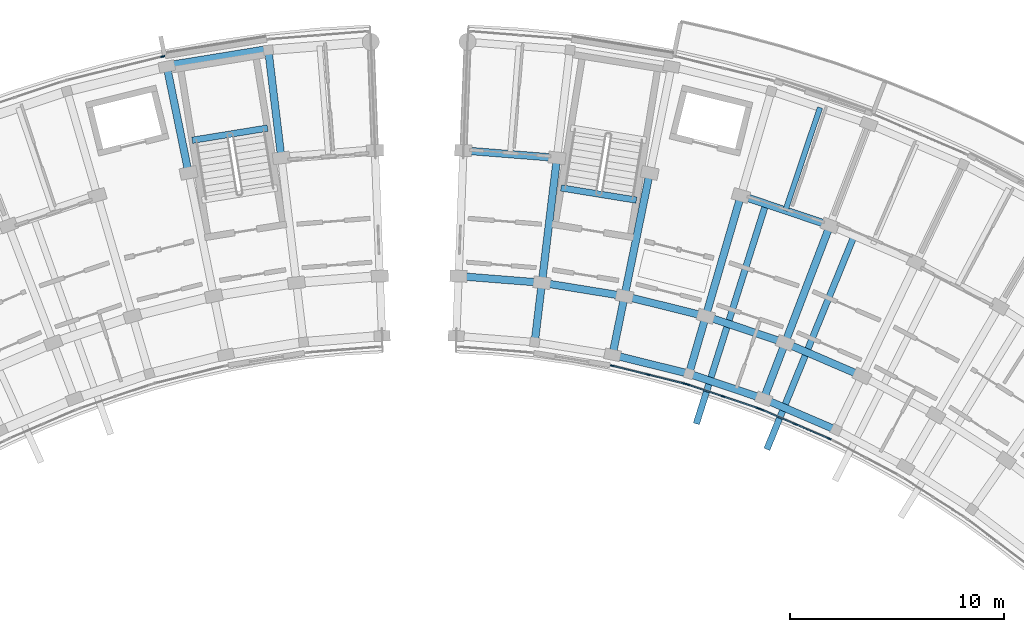
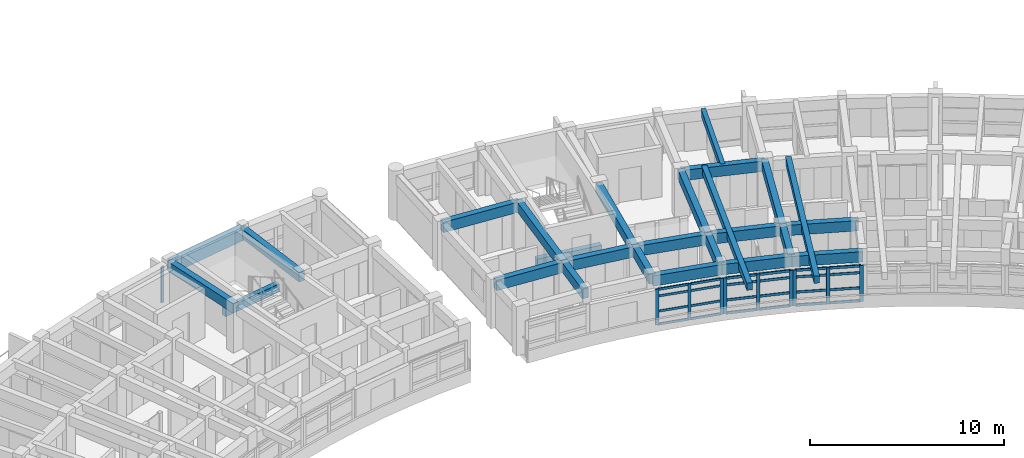
# One storey, part 7 of 54: 34 members, 26 beams, 4 elements without a shape of their own.
"""IFC4 building model written with IfcOpenShell, lengths in metres."""

from ifc_helpers import new_model, si_unit, direction, frame, origin, origin_2d, place, context, subcontext, project, spatial, rectangle, extrude, material, material_profile, profile_set, type_object, element, aggregate, save


model = new_model("IFC4")

# Units and contexts
model_context = context("Model", 3, precision=1e-05, world=origin(), true_north=direction((0.0, 1.0)))
body_context = subcontext(model_context, "Body", "Model", "MODEL_VIEW")
ifc_project = project(units=[si_unit("LENGTHUNIT", "METRE"), si_unit("AREAUNIT", "SQUARE_METRE"), si_unit("VOLUMEUNIT", "CUBIC_METRE"), si_unit("PLANEANGLEUNIT", "RADIAN"), si_unit("MASSUNIT", "GRAM", prefix="KILO")], contexts=[model_context])

# Site, building, storey
site_placement = place(None, origin())
site = spatial("IfcSite", under=ifc_project, at=site_placement, CompositionType="ELEMENT")
building_placement = place(site_placement, origin())
building = spatial("IfcBuilding", under=site, at=building_placement, Name="Zimvara Arc Housing Community", CompositionType="ELEMENT")
storey_placement = place(building_placement, frame((0.0, 0.0, 20.5)))
storey = spatial("IfcBuildingStorey", under=building, at=storey_placement, Name="L06", CompositionType="ELEMENT", Elevation=20.5)

# Beams
ifc_material_1 = material(Name="Concrete C40/50", Category="concrete")
ifc_material_profile_1 = material_profile(ifc_material_1, rectangle(XDim=0.25, YDim=0.449951171875, at=origin_2d()), Name="RC 250x450")
ifc_profile_set_1 = profile_set([ifc_material_profile_1], Name="Concrete C40/50")
beam_type_1 = type_object("IfcBeamType", Name="BM-RC-250x450", PredefinedType="JOIST", material=ifc_profile_set_1)
beam_1_placement = place(storey_placement, frame((62.1279296875, 95.453369140625, 2.635009765625), z_axis=(0.318607669836, 0.947886677152, 0.0), x_axis=(-0.947886677152, 0.318607669836, 0.0)))
element("IfcBeam", 1, at=beam_1_placement, inside=storey, type_object=beam_type_1, Name="bm:blkB:L06:joist:b3", PredefinedType="JOIST", context=body_context, shape_type="SweptSolid", body=[
    extrude(rectangle(XDim=0.25, YDim=0.449951171875, at=origin_2d()), origin(), (0.0, 0.0, 1.0), 5.07568359375),
])
ifc_material_2 = material(Name="Concrete C40/50", Category="concrete")
ifc_material_profile_2 = material_profile(ifc_material_2, rectangle(XDim=0.300048828125, YDim=0.449951171875, at=origin_2d()), Name="RC 300x450")
ifc_profile_set_2 = profile_set([ifc_material_profile_2], Name="Concrete C40/50")
beam_type_2 = type_object("IfcBeamType", Name="BM-RC-300x450", PredefinedType="JOIST", material=ifc_profile_set_2)
beam_2_placement = place(storey_placement, frame((61.22314453125, 95.795654296875, 2.6650390625), z_axis=(-0.301541693036, -0.953452991689, 0.0), x_axis=(0.953452991689, -0.301541693036, 0.0)))
element("IfcBeam", 2, at=beam_2_placement, inside=storey, type_object=beam_type_2, Name="bm:blkB:L06:cant_in:b3", PredefinedType="JOIST", context=body_context, shape_type="SweptSolid", body=[
    extrude(rectangle(XDim=0.300048828125, YDim=0.449951171875, at=origin_2d()), origin(), (0.0, 0.0, 1.0), 10.820068359375),
])
beam_3_placement = place(storey_placement, frame((65.354248046875, 94.301025390625, 2.6650390625), z_axis=(-0.378332343777, -0.92566983188, 0.0), x_axis=(0.92566983188, -0.378332343777, 0.0)))
element("IfcBeam", 3, at=beam_3_placement, inside=storey, type_object=beam_type_2, Name="bm:blkB:L06:cant_in:b4", PredefinedType="JOIST", context=body_context, shape_type="SweptSolid", body=[
    extrude(rectangle(XDim=0.300048828125, YDim=0.449951171875, at=origin_2d()), origin(), (0.0, 0.0, 1.0), 10.81982421875),
])
ifc_material_3 = material(Name="Concrete C40/50", Category="concrete")
ifc_material_profile_3 = material_profile(ifc_material_3, rectangle(XDim=0.300048828125, YDim=0.5, at=origin_2d()), Name="RC 300x500")
ifc_profile_set_3 = profile_set([ifc_material_profile_3], Name="Concrete C40/50")
beam_type_3 = type_object("IfcBeamType", Name="BM-RC-300x500", PredefinedType="BEAM", material=ifc_profile_set_3)
for number, where, z_axis, x_axis, name in (
    (4, (37.911865234375, 99.307373046875, 1.300048828125), (-0.987080057935, -0.160227835371, 0.0), (0.160227835371, -0.987080057935, 0.0), "bm:stair_trim:ST-A2:L06:mid"),
    (5, (55.15771484375, 95.93701171875, -0.25), (-0.987080057935, 0.160227835371, 0.0), (-0.160227835371, -0.987080057935, 0.0), "bm:stair_trim:ST-B1:L06:near"),
):
    element("IfcBeam", number, at=place(storey_placement, frame(where, z_axis=z_axis, x_axis=x_axis)), inside=storey, type_object=beam_type_3, Name=name, PredefinedType="BEAM", context=body_context, shape_type="SweptSolid", body=[
        extrude(rectangle(XDim=0.300048828125, YDim=0.5, at=origin_2d()), origin(), (0.0, 0.0, 1.0), 3.570068359375),
    ])
ifc_material_4 = material(Name="Concrete C40/50", Category="concrete")
ifc_material_profile_4 = material_profile(ifc_material_4, rectangle(XDim=0.35009765625, YDim=0.60009765625, at=origin_2d()), Name="RC 350x600")
ifc_profile_set_4 = profile_set([ifc_material_profile_4], Name="Concrete C40/50")
beam_type_4 = type_object("IfcBeamType", Name="BM-RC-350x600", PredefinedType="BEAM", material=ifc_profile_set_4)
beam_4_placement = place(storey_placement, frame((34.21875, 97.208740234375, 2.56005859375), z_axis=(-0.200411962389, 0.97971171542, 0.0), x_axis=(-0.97971171542, -0.200411962389, 0.0)))
element("IfcBeam", 6, at=beam_4_placement, inside=storey, type_object=beam_type_4, Name="bm:blkA:L06:rad:b8:r23", PredefinedType="BEAM", context=body_context, shape_type="SweptSolid", body=[
    extrude(rectangle(XDim=0.35009765625, YDim=0.60009765625, at=origin_2d()), origin(), (0.0, 0.0, 1.0), 5.079833984375),
])
beam_5_placement = place(storey_placement, frame((38.55517578125, 97.91259765625, 2.56005859375), z_axis=(-0.119762990499, 0.99280251113, 0.0), x_axis=(-0.99280251113, -0.119762990499, 0.0)))
element("IfcBeam", 7, at=beam_5_placement, inside=storey, type_object=beam_type_4, Name="bm:blkA:L06:rad:b9:r23", PredefinedType="BEAM", context=body_context, shape_type="SweptSolid", body=[
    extrude(rectangle(XDim=0.35009765625, YDim=0.60009765625, at=origin_2d()), origin(), (0.0, 0.0, 1.0), 5.080078125),
])
beam_6_placement = place(storey_placement, frame((50.405029296875, 89.295166015625, 2.56005859375), z_axis=(0.119719398078, 0.992807768767, 0.0), x_axis=(-0.992807768767, 0.119719398078, 0.0)))
element("IfcBeam", 8, at=beam_6_placement, inside=storey, type_object=beam_type_4, Name="bm:blkB:L06:rad:b1:r01", PredefinedType="BEAM", context=body_context, shape_type="SweptSolid", body=[
    extrude(rectangle(XDim=0.35009765625, YDim=0.60009765625, at=origin_2d()), origin(), (0.0, 0.0, 1.0), 2.7998046875),
])
beam_7_placement = place(storey_placement, frame((50.740234375, 92.074951171875, 2.56005859375), z_axis=(0.119827921695, 0.992794676246, 0.0), x_axis=(-0.992794676246, 0.119827921695, 0.0)))
element("IfcBeam", 9, at=beam_7_placement, inside=storey, type_object=beam_type_4, Name="bm:blkB:L06:rad:b1:r12", PredefinedType="BEAM", context=body_context, shape_type="SweptSolid", body=[
    extrude(rectangle(XDim=0.35009765625, YDim=0.60009765625, at=origin_2d()), origin(), (0.0, 0.0, 1.0), 5.880126953125),
])
beam_8_placement = place(storey_placement, frame((54.041748046875, 88.704833984375, 2.56005859375), z_axis=(0.20037341071, 0.979719600845, 0.0), x_axis=(-0.979719600845, 0.20037341071, 0.0)))
element("IfcBeam", 10, at=beam_8_placement, inside=storey, type_object=beam_type_4, Name="bm:blkB:L06:rad:b2:r01", PredefinedType="BEAM", context=body_context, shape_type="SweptSolid", body=[
    extrude(rectangle(XDim=0.35009765625, YDim=0.60009765625, at=origin_2d()), origin(), (0.0, 0.0, 1.0), 2.800048828125),
])
beam_9_placement = place(storey_placement, frame((54.602783203125, 91.447998046875, 2.56005859375), z_axis=(0.200417973989, 0.979710485655, 0.0), x_axis=(-0.979710485655, 0.200417973989, 0.0)))
element("IfcBeam", 11, at=beam_9_placement, inside=storey, type_object=beam_type_4, Name="bm:blkB:L06:rad:b2:r12", PredefinedType="BEAM", context=body_context, shape_type="SweptSolid", body=[
    extrude(rectangle(XDim=0.35009765625, YDim=0.60009765625, at=origin_2d()), origin(), (0.0, 0.0, 1.0), 5.880126953125),
])
beam_10_placement = place(storey_placement, frame((57.618408203125, 87.819580078125, 2.56005859375), z_axis=(0.279635015525, 0.960106378529, 0.0), x_axis=(-0.960106378529, 0.279635015525, 0.0)))
element("IfcBeam", 12, at=beam_10_placement, inside=storey, type_object=beam_type_4, Name="bm:blkB:L06:rad:b3:r01", PredefinedType="BEAM", context=body_context, shape_type="SweptSolid", body=[
    extrude(rectangle(XDim=0.35009765625, YDim=0.60009765625, at=origin_2d()), origin(), (0.0, 0.0, 1.0), 2.800048828125),
])
beam_11_placement = place(storey_placement, frame((58.4013671875, 90.5078125, 2.56005859375), z_axis=(0.27967473749, 0.960094808449, 0.0), x_axis=(-0.960094808449, 0.27967473749, 0.0)))
element("IfcBeam", 13, at=beam_11_placement, inside=storey, type_object=beam_type_4, Name="bm:blkB:L06:rad:b3:r12", PredefinedType="BEAM", context=body_context, shape_type="SweptSolid", body=[
    extrude(rectangle(XDim=0.35009765625, YDim=0.60009765625, at=origin_2d()), origin(), (0.0, 0.0, 1.0), 5.880126953125),
])
beam_12_placement = place(storey_placement, frame((61.11083984375, 86.645751953125, 2.56005859375), z_axis=(0.357079289134, 0.934074076972, 0.0), x_axis=(-0.934074076972, 0.357079289134, 0.0)))
element("IfcBeam", 14, at=beam_12_placement, inside=storey, type_object=beam_type_4, Name="bm:blkB:L06:rad:b4:r01", PredefinedType="BEAM", context=body_context, shape_type="SweptSolid", body=[
    extrude(rectangle(XDim=0.35009765625, YDim=0.60009765625, at=origin_2d()), origin(), (0.0, 0.0, 1.0), 2.7998046875),
])
beam_13_placement = place(storey_placement, frame((62.110595703125, 89.260986328125, 2.56005859375), z_axis=(0.357036247742, 0.934090529766, 0.0), x_axis=(-0.934090529766, 0.357036247742, 0.0)))
element("IfcBeam", 15, at=beam_13_placement, inside=storey, type_object=beam_type_4, Name="bm:blkB:L06:rad:b4:r12", PredefinedType="BEAM", context=body_context, shape_type="SweptSolid", body=[
    extrude(rectangle(XDim=0.35009765625, YDim=0.60009765625, at=origin_2d()), origin(), (0.0, 0.0, 1.0), 5.8798828125),
])
ifc_material_5 = material(Name="Concrete C40/50", Category="concrete")
ifc_material_profile_5 = material_profile(ifc_material_5, rectangle(XDim=0.35009765625, YDim=0.64990234375, at=origin_2d()), Name="RC 350x650")
ifc_profile_set_5 = profile_set([ifc_material_profile_5], Name="Concrete C40/50")
beam_type_5 = type_object("IfcBeamType", Name="BM-RC-350x650", PredefinedType="BEAM", material=ifc_profile_set_5)
beam_14_placement = place(storey_placement, frame((54.041748046875, 88.704833984375, 2.534912109375), z_axis=(0.970708886215, -0.240258731837, 0.0), x_axis=(0.240258731837, 0.970708886215, 0.0)))
element("IfcBeam", 16, at=beam_14_placement, inside=storey, type_object=beam_type_5, Name="bm:blkB:L06:chord:r0:b2", PredefinedType="BEAM", context=body_context, shape_type="SweptSolid", body=[
    extrude(rectangle(XDim=0.35009765625, YDim=0.64990234375, at=origin_2d()), origin(), (0.0, 0.0, 1.0), 3.6845703125),
])
for number, where, z_axis, x_axis, name in (
    (17, (57.618408203125, 87.819580078125, 2.534912109375), (0.94789181932, -0.31859237101, 0.0), (0.31859237101, 0.94789181932, 0.0), "bm:blkB:L06:chord:r0:b3"),
    (18, (61.11083984375, 86.645751953125, 2.534912109375), (0.918705736243, -0.394942742932, 0.0), (0.394942742932, 0.918705736243, 0.0), "bm:blkB:L06:chord:r0:b4"),
):
    element("IfcBeam", number, at=place(storey_placement, frame(where, z_axis=z_axis, x_axis=x_axis)), inside=storey, type_object=beam_type_5, Name=name, PredefinedType="BEAM", context=body_context, shape_type="SweptSolid", body=[
        extrude(rectangle(XDim=0.35009765625, YDim=0.64990234375, at=origin_2d()), origin(), (0.0, 0.0, 1.0), 3.684326171875),
    ])
beam_15_placement = place(storey_placement, frame((46.839599609375, 92.384765625, 2.534912109375), z_axis=(0.99686054795, -0.079177319606, 0.0), x_axis=(0.079177319606, 0.99686054795, 0.0)))
element("IfcBeam", 19, at=beam_15_placement, inside=storey, type_object=beam_type_5, Name="bm:blkB:L06:chord:r1:b0", PredefinedType="BEAM", context=body_context, shape_type="SweptSolid", body=[
    extrude(rectangle(XDim=0.35009765625, YDim=0.64990234375, at=origin_2d()), origin(), (0.0, 0.0, 1.0), 3.912841796875),
])
for number, where, z_axis, x_axis, name in (
    (20, (50.740234375, 92.074951171875, 2.534912109375), (0.987081487371, -0.160219029111, 0.0), (0.160219029111, 0.987081487371, 0.0), "bm:blkB:L06:chord:r1:b1"),
    (21, (54.602783203125, 91.447998046875, 2.534912109375), (0.970708671682, -0.240259598602, 0.0), (0.240259598602, 0.970708671682, 0.0), "bm:blkB:L06:chord:r1:b2"),
    (22, (58.4013671875, 90.5078125, 2.534912109375), (0.947881689069, -0.31862250945, 0.0), (0.31862250945, 0.947881689069, 0.0), "bm:blkB:L06:chord:r1:b3"),
    (23, (62.110595703125, 89.260986328125, 2.534912109375), (0.91873144242, -0.394882940514, 0.0), (0.394882940514, 0.91873144242, 0.0), "bm:blkB:L06:chord:r1:b4"),
):
    element("IfcBeam", number, at=place(storey_placement, frame(where, z_axis=z_axis, x_axis=x_axis)), inside=storey, type_object=beam_type_5, Name=name, PredefinedType="BEAM", context=body_context, shape_type="SweptSolid", body=[
        extrude(rectangle(XDim=0.35009765625, YDim=0.64990234375, at=origin_2d()), origin(), (0.0, 0.0, 1.0), 3.9130859375),
    ])
beam_16_placement = place(storey_placement, frame((47.065185546875, 98.26025390625, 2.534912109375), z_axis=(0.996864209836, -0.079131202119, 0.0), x_axis=(0.079131202119, 0.996864209836, 0.0)))
element("IfcBeam", 24, at=beam_16_placement, inside=storey, type_object=beam_type_5, Name="bm:blkB:L06:chord:r2:b0", PredefinedType="BEAM", context=body_context, shape_type="SweptSolid", body=[
    extrude(rectangle(XDim=0.35009765625, YDim=0.64990234375, at=origin_2d()), origin(), (0.0, 0.0, 1.0), 4.393310546875),
])
beam_17_placement = place(storey_placement, frame((60.0458984375, 96.1533203125, 2.534912109375), z_axis=(0.947868796036, -0.318660862832, 0.0), x_axis=(0.318660862832, 0.947868796036, 0.0)))
element("IfcBeam", 25, at=beam_17_placement, inside=storey, type_object=beam_type_5, Name="bm:blkB:L06:chord:r2:b3", PredefinedType="BEAM", context=body_context, shape_type="SweptSolid", body=[
    extrude(rectangle(XDim=0.35009765625, YDim=0.64990234375, at=origin_2d()), origin(), (0.0, 0.0, 1.0), 4.39306640625),
])
ifc_material_6 = material(Name="Concrete C40/50", Category="concrete")
ifc_material_profile_6 = material_profile(ifc_material_6, rectangle(XDim=0.43994140625, YDim=0.719970703125, at=origin_2d()), Name="RC 440x720")
ifc_profile_set_6 = profile_set([ifc_material_profile_6], Name="Concrete C40/50")
beam_type_6 = type_object("IfcBeamType", Name="BM-RC-440x720", PredefinedType="BEAM", material=ifc_profile_set_6)
beam_18_placement = place(storey_placement, frame((33.20068359375, 102.185546875, 2.5), z_axis=(0.987076839731, 0.160247659784, 0.0), x_axis=(-0.160247659784, 0.987076839731, 0.0)))
element("IfcBeam", 26, at=beam_18_placement, inside=storey, type_object=beam_type_6, Name="bm:blkA:L06:chord:r3:b8", PredefinedType="BEAM", context=body_context, shape_type="SweptSolid", body=[
    extrude(rectangle(XDim=0.43994140625, YDim=0.719970703125, at=origin_2d()), origin(), (0.0, 0.0, 1.0), 4.808349609375),
])

# Curtain wall, members
ifc_material_7 = material(Name="Anodised Aluminium AW-6063", Category="aluminium")
curtain_wall_type_1 = type_object("IfcCurtainWallType", Name="CW-SYS-04", PredefinedType="USERDEFINED", material=ifc_material_7)
curtain_wall_1_placement = place(storey_placement, origin())
curtain_wall_1 = element("IfcCurtainWall", 27, at=curtain_wall_1_placement, inside=storey, type_object=curtain_wall_type_1, Name="cw:blkB:L06:in:b2", ObjectType="CURTAIN WALL", PredefinedType="USERDEFINED")
ifc_material_8 = material(Name="Anodised Aluminium AW-6063", Category="aluminium")
ifc_material_profile_7 = material_profile(ifc_material_8, rectangle(XDim=0.06494140625, YDim=0.179931640625, at=origin_2d()), Name="ALU 65x180")
ifc_profile_set_7 = profile_set([ifc_material_profile_7], Name="Anodised Aluminium AW-6063")
member_type_1 = type_object("IfcMemberType", Name="CWM-65x150", PredefinedType="MULLION", material=ifc_profile_set_7)
member_1_placement = place(storey_placement, frame((54.03125, 88.192626953125, 0.0), z_axis=(0.0, 0.0, 1.0), x_axis=(0.240227815706, 0.970716537698, 0.0)))
member_1 = element("IfcMember", 28, at=member_1_placement, type_object=member_type_1, Name="CW04 mullion 1", PredefinedType="MULLION", context=body_context, shape_type="SweptSolid", body=[
    extrude(rectangle(XDim=0.06494140625, YDim=0.179931640625, at=origin_2d()), origin(), (0.0, 0.0, 1.0), 2.25),
])
member_2_placement = place(storey_placement, frame((55.7099609375, 87.77734375, 0.0), z_axis=(0.0, 0.0, 1.0), x_axis=(0.240227815706, 0.970716537698, 0.0)))
member_2 = element("IfcMember", 29, at=member_2_placement, type_object=member_type_1, Name="CW04 mullion 2", PredefinedType="MULLION", context=body_context, shape_type="SweptSolid", body=[
    extrude(rectangle(XDim=0.06494140625, YDim=0.179931640625, at=origin_2d()), origin(), (0.0, 0.0, 1.0), 2.25),
])
member_3_placement = place(storey_placement, frame((57.388671875, 87.36181640625, 0.0), z_axis=(0.0, 0.0, 1.0), x_axis=(0.240227815706, 0.970716537698, 0.0)))
member_3 = element("IfcMember", 30, at=member_3_placement, type_object=member_type_1, Name="CW04 mullion 3", PredefinedType="MULLION", context=body_context, shape_type="SweptSolid", body=[
    extrude(rectangle(XDim=0.06494140625, YDim=0.179931640625, at=origin_2d()), origin(), (0.0, 0.0, 1.0), 2.25),
])

# Curtain wall, member
ifc_material_9 = material(Name="Anodised Aluminium AW-6063", Category="aluminium")
curtain_wall_type_2 = type_object("IfcCurtainWallType", Name="CW-SYS-03", PredefinedType="USERDEFINED", material=ifc_material_9)
curtain_wall_2_placement = place(storey_placement, origin())
curtain_wall_2 = element("IfcCurtainWall", 31, at=curtain_wall_2_placement, inside=storey, type_object=curtain_wall_type_2, Name="cw:blkA:L06:out:b7", ObjectType="CURTAIN WALL", PredefinedType="USERDEFINED")
ifc_material_10 = material(Name="Anodised Aluminium AW-6063", Category="aluminium")
ifc_material_profile_8 = material_profile(ifc_material_10, rectangle(XDim=0.06494140625, YDim=0.195068359375, at=origin_2d()), Name="ALU 65x195")
ifc_profile_set_8 = profile_set([ifc_material_profile_8], Name="Anodised Aluminium AW-6063")
member_type_2 = type_object("IfcMemberType", Name="CWM-65x180", PredefinedType="MULLION", material=ifc_profile_set_8)
member_4_placement = place(storey_placement, frame((33.0107421875, 102.6533203125, 0.0), z_axis=(0.0, 0.0, 1.0), x_axis=(-0.240229711131, 0.970716068627, 0.0)))
member_4 = element("IfcMember", 32, at=member_4_placement, type_object=member_type_2, Name="CW03 mullion 3", PredefinedType="MULLION", context=body_context, shape_type="SweptSolid", body=[
    extrude(rectangle(XDim=0.06494140625, YDim=0.195068359375, at=origin_2d()), origin(), (0.0, 0.0, 1.0), 2.25),
])
aggregate(curtain_wall_2, [member_4])

# Curtain wall, members
ifc_material_11 = material(Name="Anodised Aluminium AW-6063", Category="aluminium")
curtain_wall_type_3 = type_object("IfcCurtainWallType", Name="CW-SYS-05", PredefinedType="USERDEFINED", material=ifc_material_11)
curtain_wall_3_placement = place(storey_placement, origin())
curtain_wall_3 = element("IfcCurtainWall", 33, at=curtain_wall_3_placement, inside=storey, type_object=curtain_wall_type_3, Name="cw:blkB:L06:in:b3", ObjectType="CURTAIN WALL", PredefinedType="USERDEFINED")
member_5_placement = place(storey_placement, frame((57.566162109375, 87.31005859375, 0.0), z_axis=(0.0, 0.0, 1.0), x_axis=(0.318630249383, 0.94787908732, 0.0)))
member_5 = element("IfcMember", 34, at=member_5_placement, type_object=member_type_2, Name="CW05 mullion 1", PredefinedType="MULLION", context=body_context, shape_type="SweptSolid", body=[
    extrude(rectangle(XDim=0.06494140625, YDim=0.195068359375, at=origin_2d()), origin(), (0.0, 0.0, 1.0), 2.25),
])
member_6_placement = place(storey_placement, frame((59.205322265625, 86.759033203125, 0.0), z_axis=(0.0, 0.0, 1.0), x_axis=(0.318630249383, 0.94787908732, 0.0)))
member_6 = element("IfcMember", 35, at=member_6_placement, type_object=member_type_2, Name="CW05 mullion 2", PredefinedType="MULLION", context=body_context, shape_type="SweptSolid", body=[
    extrude(rectangle(XDim=0.06494140625, YDim=0.195068359375, at=origin_2d()), origin(), (0.0, 0.0, 1.0), 2.25),
])
member_7_placement = place(storey_placement, frame((60.844482421875, 86.2080078125, 0.0), z_axis=(0.0, 0.0, 1.0), x_axis=(0.318630249383, 0.94787908732, 0.0)))
member_7 = element("IfcMember", 36, at=member_7_placement, type_object=member_type_2, Name="CW05 mullion 3", PredefinedType="MULLION", context=body_context, shape_type="SweptSolid", body=[
    extrude(rectangle(XDim=0.06494140625, YDim=0.195068359375, at=origin_2d()), origin(), (0.0, 0.0, 1.0), 2.25),
])

ifc_material_12 = material(Name="Anodised Aluminium AW-6063", Category="aluminium")
curtain_wall_type_4 = type_object("IfcCurtainWallType", Name="CW-SYS-07", PredefinedType="USERDEFINED", material=ifc_material_12)
curtain_wall_4_placement = place(storey_placement, origin())
curtain_wall_4 = element("IfcCurtainWall", 37, at=curtain_wall_4_placement, inside=storey, type_object=curtain_wall_type_4, Name="cw:blkB:L06:in:b4", ObjectType="CURTAIN WALL", PredefinedType="USERDEFINED")
member_8_placement = place(storey_placement, frame((61.01708984375, 86.14208984375, 0.0), z_axis=(0.0, 0.0, 1.0), x_axis=(0.394904493375, 0.918722178415, 0.0)))
member_8 = element("IfcMember", 38, at=member_8_placement, type_object=member_type_2, Name="CW07 mullion 1", PredefinedType="MULLION", context=body_context, shape_type="SweptSolid", body=[
    extrude(rectangle(XDim=0.06494140625, YDim=0.195068359375, at=origin_2d()), origin(), (0.0, 0.0, 1.0), 2.25),
])
member_9_placement = place(storey_placement, frame((62.60595703125, 85.459228515625, 0.0), z_axis=(0.0, 0.0, 1.0), x_axis=(0.394904493375, 0.918722178415, 0.0)))
member_9 = element("IfcMember", 39, at=member_9_placement, type_object=member_type_2, Name="CW07 mullion 2", PredefinedType="MULLION", context=body_context, shape_type="SweptSolid", body=[
    extrude(rectangle(XDim=0.06494140625, YDim=0.195068359375, at=origin_2d()), origin(), (0.0, 0.0, 1.0), 2.25),
])
member_10_placement = place(storey_placement, frame((64.194580078125, 84.7763671875, 0.0), z_axis=(0.0, 0.0, 1.0), x_axis=(0.394904493375, 0.918722178415, 0.0)))
member_10 = element("IfcMember", 40, at=member_10_placement, type_object=member_type_2, Name="CW07 mullion 3", PredefinedType="MULLION", context=body_context, shape_type="SweptSolid", body=[
    extrude(rectangle(XDim=0.06494140625, YDim=0.195068359375, at=origin_2d()), origin(), (0.0, 0.0, 1.0), 2.25),
])

# Member
ifc_material_13 = material(Name="Anodised Aluminium AW-6063", Category="aluminium")
ifc_material_profile_9 = material_profile(ifc_material_13, rectangle(XDim=0.06494140625, YDim=0.139892578125, at=origin_2d()), Name="ALU 65x140")
ifc_profile_set_9 = profile_set([ifc_material_profile_9], Name="Anodised Aluminium AW-6063")
member_type_3 = type_object("IfcMemberType", Name="CWT-65x120", PredefinedType="USERDEFINED", material=ifc_profile_set_9)
member_11_placement = place(storey_placement, frame((54.06298828125, 88.184814453125, 0.032470703125), z_axis=(0.970735018799, -0.240153124645, 0.0), x_axis=(0.240153124645, 0.970735018799, 0.0)))
member_11 = element("IfcMember", 41, at=member_11_placement, type_object=member_type_3, Name="CW04 transom 1.1", ObjectType="TRANSOM", PredefinedType="USERDEFINED", context=body_context, shape_type="SweptSolid", body=[
    extrude(rectangle(XDim=0.06494140625, YDim=0.139892578125, at=origin_2d()), origin(), (0.0, 0.0, 1.0), 1.6640625),
])

member_12_placement = place(storey_placement, frame((54.06298828125, 88.184814453125, 0.85009765625), z_axis=(0.970735018799, -0.240153124645, 0.0), x_axis=(0.240153124645, 0.970735018799, 0.0)))
member_12 = element("IfcMember", 42, at=member_12_placement, type_object=member_type_3, Name="CW04 transom 1.2", ObjectType="TRANSOM", PredefinedType="USERDEFINED", context=body_context, shape_type="SweptSolid", body=[
    extrude(rectangle(XDim=0.06494140625, YDim=0.139892578125, at=origin_2d()), origin(), (0.0, 0.0, 1.0), 1.6640625),
])

member_13_placement = place(storey_placement, frame((54.06298828125, 88.184814453125, 1.800048828125), z_axis=(0.970735018799, -0.240153124645, 0.0), x_axis=(0.240153124645, 0.970735018799, 0.0)))
member_13 = element("IfcMember", 43, at=member_13_placement, type_object=member_type_3, Name="CW04 transom 1.3", ObjectType="TRANSOM", PredefinedType="USERDEFINED", context=body_context, shape_type="SweptSolid", body=[
    extrude(rectangle(XDim=0.06494140625, YDim=0.139892578125, at=origin_2d()), origin(), (0.0, 0.0, 1.0), 1.6640625),
])

member_14_placement = place(storey_placement, frame((54.06298828125, 88.184814453125, 2.217529296875), z_axis=(0.970735018799, -0.240153124645, 0.0), x_axis=(0.240153124645, 0.970735018799, 0.0)))
member_14 = element("IfcMember", 44, at=member_14_placement, type_object=member_type_3, Name="CW04 transom 1.4", ObjectType="TRANSOM", PredefinedType="USERDEFINED", context=body_context, shape_type="SweptSolid", body=[
    extrude(rectangle(XDim=0.06494140625, YDim=0.139892578125, at=origin_2d()), origin(), (0.0, 0.0, 1.0), 1.6640625),
])

member_15_placement = place(storey_placement, frame((55.74169921875, 87.76953125, 0.032470703125), z_axis=(0.970700809973, -0.24029135964, 0.0), x_axis=(0.24029135964, 0.970700809973, 0.0)))
member_15 = element("IfcMember", 45, at=member_15_placement, type_object=member_type_3, Name="CW04 transom 2.1", ObjectType="TRANSOM", PredefinedType="USERDEFINED", context=body_context, shape_type="SweptSolid", body=[
    extrude(rectangle(XDim=0.06494140625, YDim=0.139892578125, at=origin_2d()), origin(), (0.0, 0.0, 1.0), 1.664306640625),
])

member_16_placement = place(storey_placement, frame((55.74169921875, 87.76953125, 0.85009765625), z_axis=(0.970700809973, -0.24029135964, 0.0), x_axis=(0.24029135964, 0.970700809973, 0.0)))
member_16 = element("IfcMember", 46, at=member_16_placement, type_object=member_type_3, Name="CW04 transom 2.2", ObjectType="TRANSOM", PredefinedType="USERDEFINED", context=body_context, shape_type="SweptSolid", body=[
    extrude(rectangle(XDim=0.06494140625, YDim=0.139892578125, at=origin_2d()), origin(), (0.0, 0.0, 1.0), 1.664306640625),
])

member_17_placement = place(storey_placement, frame((55.74169921875, 87.76953125, 1.800048828125), z_axis=(0.970700809973, -0.24029135964, 0.0), x_axis=(0.24029135964, 0.970700809973, 0.0)))
member_17 = element("IfcMember", 47, at=member_17_placement, type_object=member_type_3, Name="CW04 transom 2.3", ObjectType="TRANSOM", PredefinedType="USERDEFINED", context=body_context, shape_type="SweptSolid", body=[
    extrude(rectangle(XDim=0.06494140625, YDim=0.139892578125, at=origin_2d()), origin(), (0.0, 0.0, 1.0), 1.664306640625),
])

member_18_placement = place(storey_placement, frame((55.74169921875, 87.76953125, 2.217529296875), z_axis=(0.970700809973, -0.24029135964, 0.0), x_axis=(0.24029135964, 0.970700809973, 0.0)))
member_18 = element("IfcMember", 48, at=member_18_placement, type_object=member_type_3, Name="CW04 transom 2.4", ObjectType="TRANSOM", PredefinedType="USERDEFINED", context=body_context, shape_type="SweptSolid", body=[
    extrude(rectangle(XDim=0.06494140625, YDim=0.139892578125, at=origin_2d()), origin(), (0.0, 0.0, 1.0), 1.664306640625),
])

aggregate(curtain_wall_1, [member_1, member_2, member_3, member_11, member_12, member_13, member_14, member_15, member_16, member_17, member_18])

ifc_material_14 = material(Name="Anodised Aluminium AW-6063", Category="aluminium")
ifc_material_profile_10 = material_profile(ifc_material_14, rectangle(XDim=0.06494140625, YDim=0.155029296875, at=origin_2d()), Name="ALU 65x155")
ifc_profile_set_10 = profile_set([ifc_material_profile_10], Name="Anodised Aluminium AW-6063")
member_type_4 = type_object("IfcMemberType", Name="CWT-65x140", PredefinedType="USERDEFINED", material=ifc_profile_set_10)
member_19_placement = place(storey_placement, frame((57.596923828125, 87.2998046875, 0.032470703125), z_axis=(0.947888214723, -0.318603095385, 0.0), x_axis=(0.318603095385, 0.947888214723, 0.0)))
member_19 = element("IfcMember", 49, at=member_19_placement, type_object=member_type_4, Name="CW05 transom 1.1", ObjectType="TRANSOM", PredefinedType="USERDEFINED", context=body_context, shape_type="SweptSolid", body=[
    extrude(rectangle(XDim=0.06494140625, YDim=0.155029296875, at=origin_2d()), origin(), (0.0, 0.0, 1.0), 1.664306640625),
])

member_20_placement = place(storey_placement, frame((57.596923828125, 87.2998046875, 0.85009765625), z_axis=(0.947888214723, -0.318603095385, 0.0), x_axis=(0.318603095385, 0.947888214723, 0.0)))
member_20 = element("IfcMember", 50, at=member_20_placement, type_object=member_type_4, Name="CW05 transom 1.2", ObjectType="TRANSOM", PredefinedType="USERDEFINED", context=body_context, shape_type="SweptSolid", body=[
    extrude(rectangle(XDim=0.06494140625, YDim=0.155029296875, at=origin_2d()), origin(), (0.0, 0.0, 1.0), 1.664306640625),
])

member_21_placement = place(storey_placement, frame((57.596923828125, 87.2998046875, 1.800048828125), z_axis=(0.947888214723, -0.318603095385, 0.0), x_axis=(0.318603095385, 0.947888214723, 0.0)))
member_21 = element("IfcMember", 51, at=member_21_placement, type_object=member_type_4, Name="CW05 transom 1.3", ObjectType="TRANSOM", PredefinedType="USERDEFINED", context=body_context, shape_type="SweptSolid", body=[
    extrude(rectangle(XDim=0.06494140625, YDim=0.155029296875, at=origin_2d()), origin(), (0.0, 0.0, 1.0), 1.664306640625),
])

member_22_placement = place(storey_placement, frame((57.596923828125, 87.2998046875, 2.217529296875), z_axis=(0.947888214723, -0.318603095385, 0.0), x_axis=(0.318603095385, 0.947888214723, 0.0)))
member_22 = element("IfcMember", 52, at=member_22_placement, type_object=member_type_4, Name="CW05 transom 1.4", ObjectType="TRANSOM", PredefinedType="USERDEFINED", context=body_context, shape_type="SweptSolid", body=[
    extrude(rectangle(XDim=0.06494140625, YDim=0.155029296875, at=origin_2d()), origin(), (0.0, 0.0, 1.0), 1.664306640625),
])

member_23_placement = place(storey_placement, frame((59.236083984375, 86.748779296875, 0.032470703125), z_axis=(0.947888214723, -0.318603095385, 0.0), x_axis=(0.318603095385, 0.947888214723, 0.0)))
member_23 = element("IfcMember", 53, at=member_23_placement, type_object=member_type_4, Name="CW05 transom 2.1", ObjectType="TRANSOM", PredefinedType="USERDEFINED", context=body_context, shape_type="SweptSolid", body=[
    extrude(rectangle(XDim=0.06494140625, YDim=0.155029296875, at=origin_2d()), origin(), (0.0, 0.0, 1.0), 1.664306640625),
])

member_24_placement = place(storey_placement, frame((59.236083984375, 86.748779296875, 0.85009765625), z_axis=(0.947888214723, -0.318603095385, 0.0), x_axis=(0.318603095385, 0.947888214723, 0.0)))
member_24 = element("IfcMember", 54, at=member_24_placement, type_object=member_type_4, Name="CW05 transom 2.2", ObjectType="TRANSOM", PredefinedType="USERDEFINED", context=body_context, shape_type="SweptSolid", body=[
    extrude(rectangle(XDim=0.06494140625, YDim=0.155029296875, at=origin_2d()), origin(), (0.0, 0.0, 1.0), 1.664306640625),
])

member_25_placement = place(storey_placement, frame((59.236083984375, 86.748779296875, 1.800048828125), z_axis=(0.947888214723, -0.318603095385, 0.0), x_axis=(0.318603095385, 0.947888214723, 0.0)))
member_25 = element("IfcMember", 55, at=member_25_placement, type_object=member_type_4, Name="CW05 transom 2.3", ObjectType="TRANSOM", PredefinedType="USERDEFINED", context=body_context, shape_type="SweptSolid", body=[
    extrude(rectangle(XDim=0.06494140625, YDim=0.155029296875, at=origin_2d()), origin(), (0.0, 0.0, 1.0), 1.664306640625),
])

member_26_placement = place(storey_placement, frame((59.236083984375, 86.748779296875, 2.217529296875), z_axis=(0.947888214723, -0.318603095385, 0.0), x_axis=(0.318603095385, 0.947888214723, 0.0)))
member_26 = element("IfcMember", 56, at=member_26_placement, type_object=member_type_4, Name="CW05 transom 2.4", ObjectType="TRANSOM", PredefinedType="USERDEFINED", context=body_context, shape_type="SweptSolid", body=[
    extrude(rectangle(XDim=0.06494140625, YDim=0.155029296875, at=origin_2d()), origin(), (0.0, 0.0, 1.0), 1.664306640625),
])

aggregate(curtain_wall_3, [member_5, member_6, member_7, member_19, member_20, member_21, member_22, member_23, member_24, member_25, member_26])

member_27_placement = place(storey_placement, frame((61.047119140625, 86.12939453125, 0.032470703125), z_axis=(0.918673978315, -0.395016609229, 0.0), x_axis=(0.395016609229, 0.918673978315, 0.0)))
member_27 = element("IfcMember", 57, at=member_27_placement, type_object=member_type_4, Name="CW07 transom 1.1", ObjectType="TRANSOM", PredefinedType="USERDEFINED", context=body_context, shape_type="SweptSolid", body=[
    extrude(rectangle(XDim=0.06494140625, YDim=0.155029296875, at=origin_2d()), origin(), (0.0, 0.0, 1.0), 1.664306640625),
])

member_28_placement = place(storey_placement, frame((61.047119140625, 86.12939453125, 0.85009765625), z_axis=(0.918673978315, -0.395016609229, 0.0), x_axis=(0.395016609229, 0.918673978315, 0.0)))
member_28 = element("IfcMember", 58, at=member_28_placement, type_object=member_type_4, Name="CW07 transom 1.2", ObjectType="TRANSOM", PredefinedType="USERDEFINED", context=body_context, shape_type="SweptSolid", body=[
    extrude(rectangle(XDim=0.06494140625, YDim=0.155029296875, at=origin_2d()), origin(), (0.0, 0.0, 1.0), 1.664306640625),
])

member_29_placement = place(storey_placement, frame((61.047119140625, 86.12939453125, 1.800048828125), z_axis=(0.918673978315, -0.395016609229, 0.0), x_axis=(0.395016609229, 0.918673978315, 0.0)))
member_29 = element("IfcMember", 59, at=member_29_placement, type_object=member_type_4, Name="CW07 transom 1.3", ObjectType="TRANSOM", PredefinedType="USERDEFINED", context=body_context, shape_type="SweptSolid", body=[
    extrude(rectangle(XDim=0.06494140625, YDim=0.155029296875, at=origin_2d()), origin(), (0.0, 0.0, 1.0), 1.664306640625),
])

member_30_placement = place(storey_placement, frame((61.047119140625, 86.12939453125, 2.217529296875), z_axis=(0.918673978315, -0.395016609229, 0.0), x_axis=(0.395016609229, 0.918673978315, 0.0)))
member_30 = element("IfcMember", 60, at=member_30_placement, type_object=member_type_4, Name="CW07 transom 1.4", ObjectType="TRANSOM", PredefinedType="USERDEFINED", context=body_context, shape_type="SweptSolid", body=[
    extrude(rectangle(XDim=0.06494140625, YDim=0.155029296875, at=origin_2d()), origin(), (0.0, 0.0, 1.0), 1.664306640625),
])

member_31_placement = place(storey_placement, frame((62.6357421875, 85.4462890625, 0.032470703125), z_axis=(0.918727202972, -0.394892803832, 0.0), x_axis=(0.394892803832, 0.918727202972, 0.0)))
member_31 = element("IfcMember", 61, at=member_31_placement, type_object=member_type_4, Name="CW07 transom 2.1", ObjectType="TRANSOM", PredefinedType="USERDEFINED", context=body_context, shape_type="SweptSolid", body=[
    extrude(rectangle(XDim=0.06494140625, YDim=0.155029296875, at=origin_2d()), origin(), (0.0, 0.0, 1.0), 1.664306640625),
])

member_32_placement = place(storey_placement, frame((62.6357421875, 85.4462890625, 0.85009765625), z_axis=(0.918727202972, -0.394892803832, 0.0), x_axis=(0.394892803832, 0.918727202972, 0.0)))
member_32 = element("IfcMember", 62, at=member_32_placement, type_object=member_type_4, Name="CW07 transom 2.2", ObjectType="TRANSOM", PredefinedType="USERDEFINED", context=body_context, shape_type="SweptSolid", body=[
    extrude(rectangle(XDim=0.06494140625, YDim=0.155029296875, at=origin_2d()), origin(), (0.0, 0.0, 1.0), 1.664306640625),
])

member_33_placement = place(storey_placement, frame((62.6357421875, 85.4462890625, 1.800048828125), z_axis=(0.918727202972, -0.394892803832, 0.0), x_axis=(0.394892803832, 0.918727202972, 0.0)))
member_33 = element("IfcMember", 63, at=member_33_placement, type_object=member_type_4, Name="CW07 transom 2.3", ObjectType="TRANSOM", PredefinedType="USERDEFINED", context=body_context, shape_type="SweptSolid", body=[
    extrude(rectangle(XDim=0.06494140625, YDim=0.155029296875, at=origin_2d()), origin(), (0.0, 0.0, 1.0), 1.664306640625),
])

member_34_placement = place(storey_placement, frame((62.6357421875, 85.4462890625, 2.217529296875), z_axis=(0.918727202972, -0.394892803832, 0.0), x_axis=(0.394892803832, 0.918727202972, 0.0)))
member_34 = element("IfcMember", 64, at=member_34_placement, type_object=member_type_4, Name="CW07 transom 2.4", ObjectType="TRANSOM", PredefinedType="USERDEFINED", context=body_context, shape_type="SweptSolid", body=[
    extrude(rectangle(XDim=0.06494140625, YDim=0.155029296875, at=origin_2d()), origin(), (0.0, 0.0, 1.0), 1.664306640625),
])

aggregate(curtain_wall_4, [member_8, member_9, member_10, member_27, member_28, member_29, member_30, member_31, member_32, member_33, member_34])

save(model, "model.ifc")
